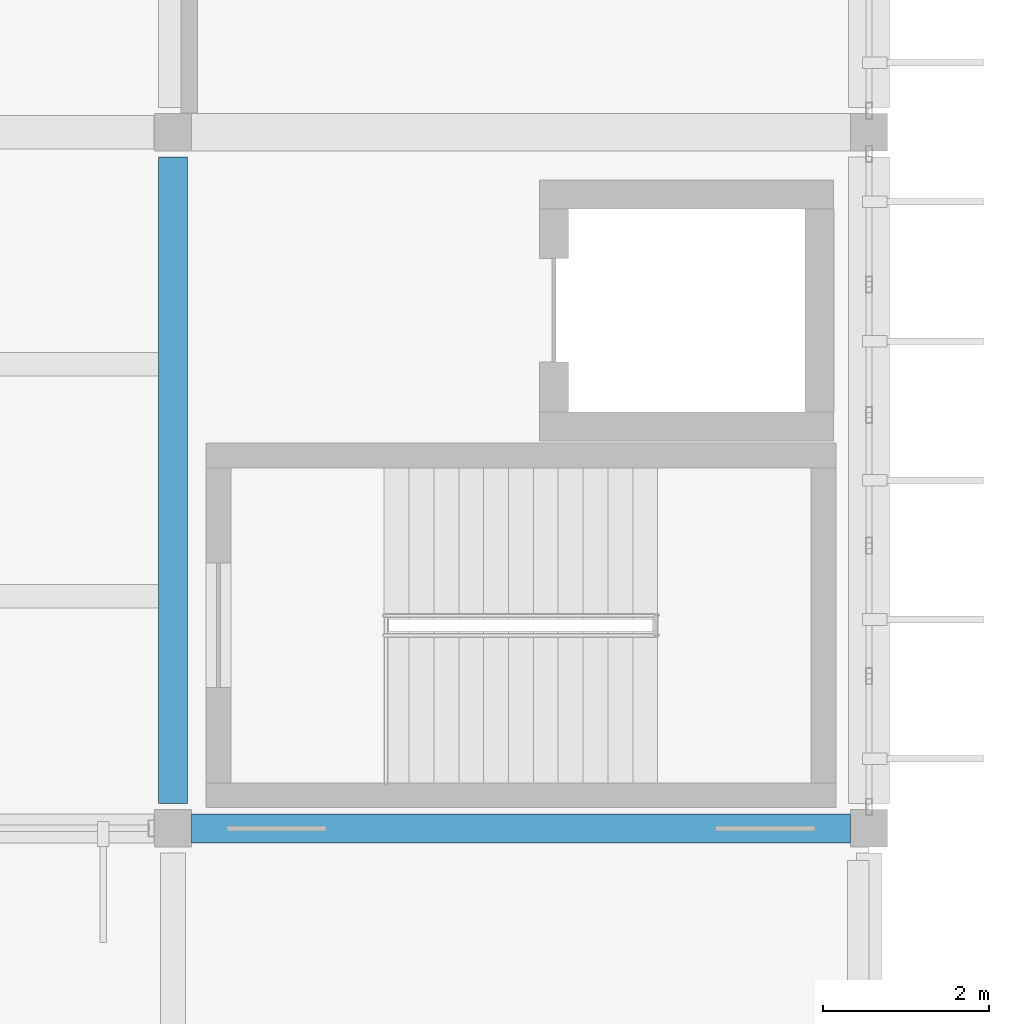
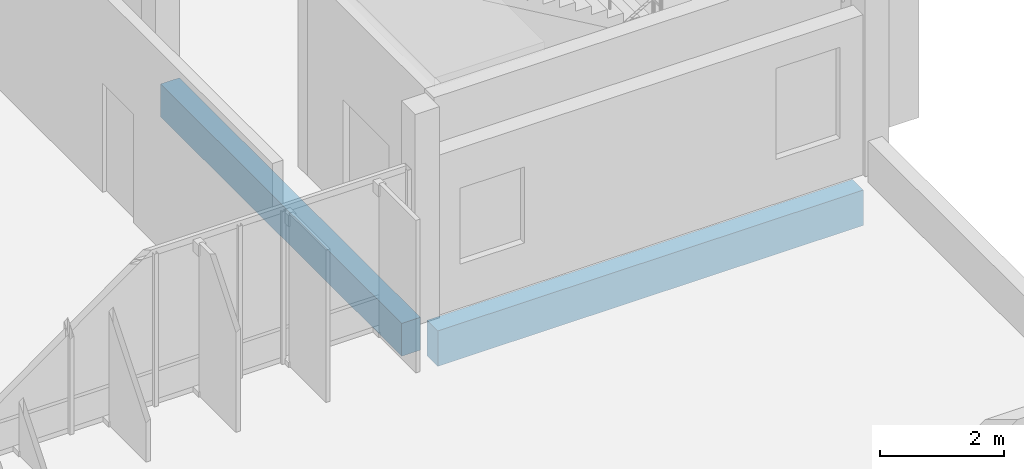
# One storey, part 12 of 62: 2 beams.
"""IFC4 building model written with IfcOpenShell, lengths in metres."""

from ifc_helpers import new_model, si_unit, direction, frame, origin, origin_2d, place, context, subcontext, project, spatial, rectangle, extrude, material, material_profile, profile_set, type_object, element, save


model = new_model("IFC4")

# Units and contexts
model_context = context("Model", 3, precision=1e-05, world=origin(), true_north=direction((0.0, 1.0)))
body_context = subcontext(model_context, "Body", "Model", "MODEL_VIEW")
ifc_project = project(units=[si_unit("LENGTHUNIT", "METRE"), si_unit("AREAUNIT", "SQUARE_METRE"), si_unit("VOLUMEUNIT", "CUBIC_METRE"), si_unit("PLANEANGLEUNIT", "RADIAN"), si_unit("MASSUNIT", "GRAM", prefix="KILO")], contexts=[model_context])

# Site, building, storey
site_placement = place(None, origin())
site = spatial("IfcSite", under=ifc_project, at=site_placement, CompositionType="ELEMENT")
building_placement = place(site_placement, origin())
building = spatial("IfcBuilding", under=site, at=building_placement, Name="Vireocrest Preparatory School", CompositionType="ELEMENT")
storey_placement = place(building_placement, frame((0.0, 0.0, 17.39990234375)))
storey = spatial("IfcBuildingStorey", under=building, at=storey_placement, Name="L04", CompositionType="ELEMENT", Elevation=17.39990234375)

# Beams
ifc_material = material(Name="Concrete 40 MPa", Category="concrete")
ifc_material_profile_1 = material_profile(ifc_material, rectangle(XDim=0.35009765625, YDim=0.64990234375, at=origin_2d()), Name="RC 350x650")
ifc_profile_set_1 = profile_set([ifc_material_profile_1], Name="Concrete 40 MPa")
beam_type_1 = type_object("IfcBeamType", Name="RC Classroom Girder 350x650", PredefinedType="BEAM", material=ifc_profile_set_1)
beam_1_placement = place(storey_placement, frame((100.800048828125, 44.10009765625, -0.5849609375), z_axis=(0.0, 1.0, 0.0), x_axis=(-1.0, 0.0, 0.0)))
element("IfcBeam", 1, at=beam_1_placement, inside=storey, type_object=beam_type_1, Name="Primary Girder B05 L04-1402", PredefinedType="BEAM", context=body_context, shape_type="SweptSolid", body=[
    extrude(rectangle(XDim=0.35009765625, YDim=0.64990234375, at=origin_2d()), origin(), (0.0, 0.0, 1.0), 7.7998046875),
])
ifc_material_profile_2 = material_profile(ifc_material, rectangle(XDim=0.35009765625, YDim=0.699951171875, at=origin_2d()), Name="RC 350x700")
ifc_profile_set_2 = profile_set([ifc_material_profile_2], Name="Concrete 40 MPa")
beam_type_2 = type_object("IfcBeamType", Name="RC Laboratory Girder 350x700", PredefinedType="BEAM", material=ifc_profile_set_2)
beam_2_placement = place(storey_placement, frame((101.02490234375, 43.800048828125, -0.60986328125), z_axis=(1.0, 0.0, 0.0), x_axis=(0.0, 1.0, 0.0)))
element("IfcBeam", 2, at=beam_2_placement, inside=storey, type_object=beam_type_2, Name="Primary Girder B06 L04-1300", PredefinedType="BEAM", context=body_context, shape_type="SweptSolid", body=[
    extrude(rectangle(XDim=0.35009765625, YDim=0.699951171875, at=origin_2d()), origin(), (0.0, 0.0, 1.0), 7.9501953125),
])

save(model, "model.ifc")
